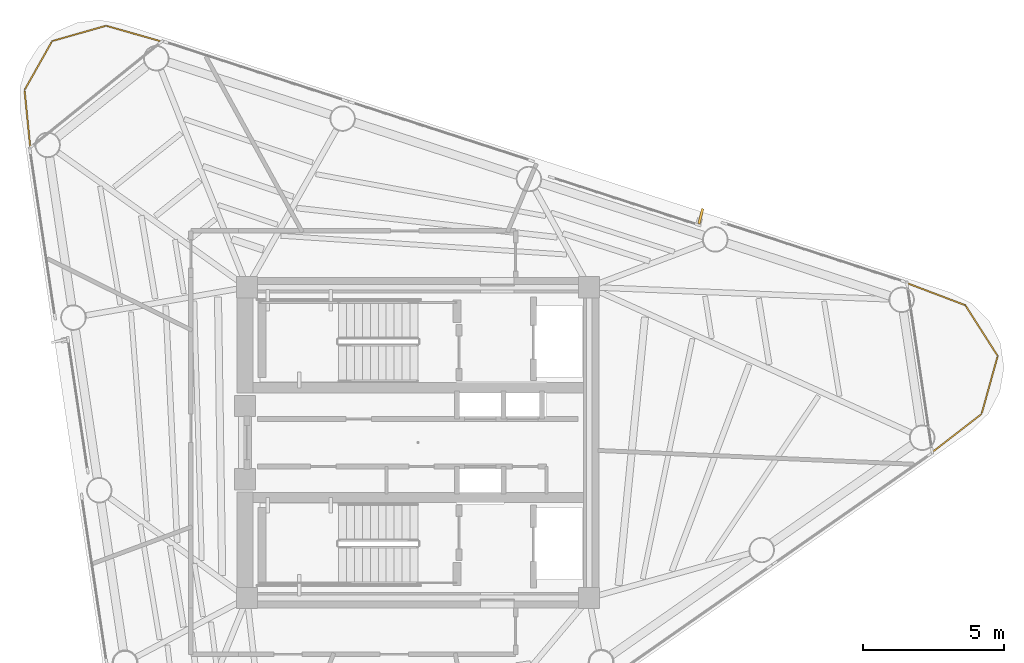
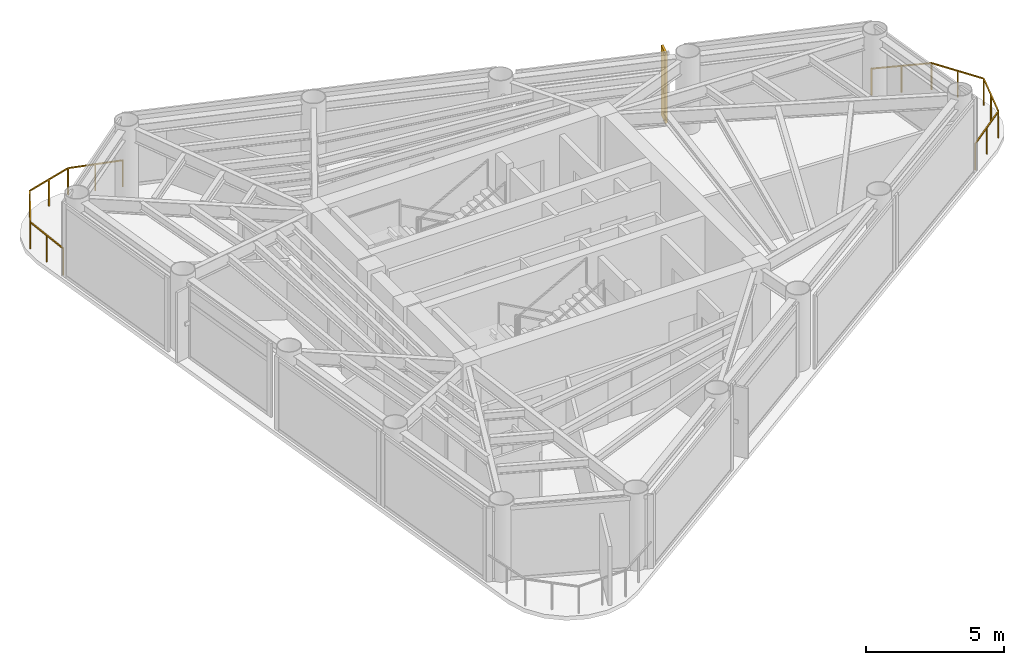
# One storey, part 9 of 9: 2 railings, 1 shading device.
"""IFC4 building model written with IfcOpenShell, lengths in metres."""

from ifc_helpers import new_model, si_unit, direction, frame, origin, origin_2d, place, context, subcontext, project, spatial, rectangle, extrude, source, transform, mapped, material, material_profile, profile_set, type_object, element, save


model = new_model("IFC4")

# Units and contexts
model_context = context("Model", 3, precision=1e-05, world=origin(), true_north=direction((0.0, 1.0)))
body_context = subcontext(model_context, "Body", "Model", "MODEL_VIEW")
ifc_project = project(units=[si_unit("LENGTHUNIT", "METRE"), si_unit("AREAUNIT", "SQUARE_METRE"), si_unit("VOLUMEUNIT", "CUBIC_METRE"), si_unit("PLANEANGLEUNIT", "RADIAN"), si_unit("MASSUNIT", "GRAM", prefix="KILO")], contexts=[model_context])

# Site, building, storey
site_placement = place(None, origin())
site = spatial("IfcSite", under=ifc_project, at=site_placement, CompositionType="ELEMENT")
building_placement = place(site_placement, origin())
building = spatial("IfcBuilding", under=site, at=building_placement, Name="Yunling Apex Tower", CompositionType="ELEMENT")
storey_placement = place(building_placement, frame((0.0, 0.0, 271.14990234375)))
storey = spatial("IfcBuildingStorey", under=building, at=storey_placement, Name="L66", CompositionType="ELEMENT", Elevation=271.14990234375)

# Railings
ifc_material = material(Name="Bronze anodised aluminium", Category="aluminium")
railing_type = type_object("IfcRailingType", Name="RL-BAL-1200", PredefinedType="BALUSTRADE", material=ifc_material)
railing_1_placement = place(storey_placement, frame((17.301513671875, 5.64208984375, 0.0)))
element("IfcRailing", 1, at=railing_1_placement, inside=storey, type_object=railing_type, Name="RL-CRNSILL-L66-1", PredefinedType="BALUSTRADE", context=body_context, shape_type="SweptSolid", body=[
    extrude(rectangle(XDim=0.0439453125, YDim=0.0439453125, at=origin_2d()), origin(), (0.0, 0.0, 1.0), 1.199951171875),
    extrude(rectangle(XDim=0.0439453125, YDim=0.0439453125, at=origin_2d()), frame((2.06103515625, -0.78125, 0.0)), (0.0, 0.0, 1.0), 1.199951171875),
    extrude(rectangle(XDim=0.050048828125, YDim=0.050048828125, at=origin_2d()), frame((0.035888671875, -0.013671875, 1.1748046875), z_axis=(0.935076028929, -0.354447203574, 0.0), x_axis=(0.354447203574, 0.935076028929, 0.0)), (0.0, 0.0, 1.0), 2.12744140625),
    extrude(rectangle(XDim=0.0439453125, YDim=0.0439453125, at=origin_2d()), frame((1.030517578125, -0.390625, 0.0)), (0.0, 0.0, 1.0), 1.14599609375),
    extrude(rectangle(XDim=0.0439453125, YDim=0.0439453125, at=origin_2d()), frame((3.207275390625, -2.576904296875, 0.0)), (0.0, 0.0, 1.0), 1.199951171875),
    extrude(rectangle(XDim=0.050048828125, YDim=0.050048828125, at=origin_2d()), frame((2.08154296875, -0.8134765625, 1.1748046875), z_axis=(0.538061440176, -0.842905621405, 0.0), x_axis=(0.842905621405, 0.538061440176, 0.0)), (0.0, 0.0, 1.0), 2.0537109375),
    extrude(rectangle(XDim=0.0439453125, YDim=0.0439453125, at=origin_2d()), frame((2.63427734375, -1.67919921875, 0.0)), (0.0, 0.0, 1.0), 1.14599609375),
    extrude(rectangle(XDim=0.0439453125, YDim=0.0439453125, at=origin_2d()), frame((2.63623046875, -4.62939453125, 0.0)), (0.0, 0.0, 1.0), 1.199951171875),
    extrude(rectangle(XDim=0.050048828125, YDim=0.050048828125, at=origin_2d()), frame((3.197021484375, -2.61376953125, 1.1748046875), z_axis=(-0.268039837369, -0.963407829314, 0.0), x_axis=(0.963407829314, -0.268039837369, 0.0)), (0.0, 0.0, 1.0), 2.0537109375),
    extrude(rectangle(XDim=0.0439453125, YDim=0.0439453125, at=origin_2d()), frame((2.921875, -3.60302734375, 0.0)), (0.0, 0.0, 1.0), 1.14599609375),
    extrude(rectangle(XDim=0.0439453125, YDim=0.0439453125, at=origin_2d()), frame((0.8935546875, -5.979248046875, 0.0)), (0.0, 0.0, 1.0), 1.199951171875),
    extrude(rectangle(XDim=0.050048828125, YDim=0.050048828125, at=origin_2d()), frame((2.60595703125, -4.65283203125, 1.1748046875), z_axis=(-0.790573223341, -0.612367519172, 0.0), x_axis=(0.612367519172, -0.790573223341, 0.0)), (0.0, 0.0, 1.0), 2.127685546875),
    extrude(rectangle(XDim=0.0439453125, YDim=0.0439453125, at=origin_2d()), frame((1.764892578125, -5.30419921875, 0.0)), (0.0, 0.0, 1.0), 1.14599609375),
])
railing_2_placement = place(storey_placement, frame((-13.722900390625, 10.44091796875, 0.0)))
element("IfcRailing", 2, at=railing_2_placement, inside=storey, type_object=railing_type, Name="RL-CRNSILL-L66-2", PredefinedType="BALUSTRADE", context=body_context, shape_type="SweptSolid", body=[
    extrude(rectangle(XDim=0.0439453125, YDim=0.0439453125, at=origin_2d()), origin(), (0.0, 0.0, 1.0), 1.199951171875),
    extrude(rectangle(XDim=0.0439453125, YDim=0.0439453125, at=origin_2d()), frame((-0.20361328125, 2.0341796875, 0.0)), (0.0, 0.0, 1.0), 1.199951171875),
    extrude(rectangle(XDim=0.050048828125, YDim=0.050048828125, at=origin_2d()), frame((-0.00390625, 0.0380859375, 1.1748046875), z_axis=(-0.099598310599, 0.995027726511, 0.0), x_axis=(-0.995027726511, -0.099598310599, 0.0)), (0.0, 0.0, 1.0), 1.9677734375),
    extrude(rectangle(XDim=0.0439453125, YDim=0.0439453125, at=origin_2d()), frame((-0.101806640625, 1.01708984375, 0.0)), (0.0, 0.0, 1.0), 1.14599609375),
    extrude(rectangle(XDim=0.0439453125, YDim=0.0439453125, at=origin_2d()), frame((0.774169921875, 3.7666015625, 0.0)), (0.0, 0.0, 1.0), 1.199951171875),
    extrude(rectangle(XDim=0.050048828125, YDim=0.050048828125, at=origin_2d()), frame((-0.184814453125, 2.067626953125, 1.1748046875), z_axis=(0.491519311586, 0.870866675409, 0.0), x_axis=(-0.870866675409, 0.491519311586, 0.0)), (0.0, 0.0, 1.0), 1.91259765625),
    extrude(rectangle(XDim=0.0439453125, YDim=0.0439453125, at=origin_2d()), frame((0.28515625, 2.900390625, 0.0)), (0.0, 0.0, 1.0), 1.14599609375),
    extrude(rectangle(XDim=0.0439453125, YDim=0.0439453125, at=origin_2d()), frame((2.68115234375, 4.3095703125, 0.0)), (0.0, 0.0, 1.0), 1.199951171875),
    extrude(rectangle(XDim=0.050048828125, YDim=0.050048828125, at=origin_2d()), frame((0.81103515625, 3.777099609375, 1.1748046875), z_axis=(0.961774454599, 0.273842835364, 0.0), x_axis=(-0.273842835364, 0.961774454599, 0.0)), (0.0, 0.0, 1.0), 1.906005859375),
    extrude(rectangle(XDim=0.0439453125, YDim=0.0439453125, at=origin_2d()), frame((1.7275390625, 4.0380859375, 0.0)), (0.0, 0.0, 1.0), 1.14599609375),
    extrude(rectangle(XDim=0.0439453125, YDim=0.0439453125, at=origin_2d()), frame((4.6484375, 3.7509765625, 0.0)), (0.0, 0.0, 1.0), 1.199951171875),
    extrude(rectangle(XDim=0.050048828125, YDim=0.050048828125, at=origin_2d()), frame((2.718017578125, 4.299072265625, 1.1748046875), z_axis=(0.961973149689, -0.273144026618, 0.0), x_axis=(0.273144026618, 0.961973149689, 0.0)), (0.0, 0.0, 1.0), 1.968505859375),
    extrude(rectangle(XDim=0.0439453125, YDim=0.0439453125, at=origin_2d()), frame((3.664794921875, 4.0302734375, 0.0)), (0.0, 0.0, 1.0), 1.14599609375),
])

# Shading device
ifc_material_profile = material_profile(ifc_material, rectangle(XDim=0.0849609375, YDim=0.550048828125, at=origin_2d()))
ifc_profile_set = profile_set([ifc_material_profile], Name="Bronze anodised aluminium")
shading_device_type = type_object("IfcShadingDeviceType", Name="FN-BRZ-3", PredefinedType="USERDEFINED", material=ifc_profile_set)
shared_shape = source(origin(), body_context, "Body", "SweptSolid", [
    extrude(rectangle(XDim=0.0849609375, YDim=0.550048828125, at=origin_2d()), origin(), (0.0, 0.0, 1.0), 3.10009765625),
])
shading_device_placement = place(storey_placement, frame((10.0048828125, 8.012451171875, 0.06005859375), z_axis=(0.0, 0.0, 1.0), x_axis=(-0.969402520914, 0.245476582274, 0.0)))
element("IfcShadingDevice", 3, at=shading_device_placement, inside=storey, type_object=shading_device_type, Name="CW-L66-F2-B2-FIN-01", ObjectType="FIN", PredefinedType="USERDEFINED", context=body_context, shape_type="MappedRepresentation", body=[
    mapped(shared_shape, transform((0.0, 0.0, 0.0), scale=1.0)),
])

save(model, "model.ifc")
